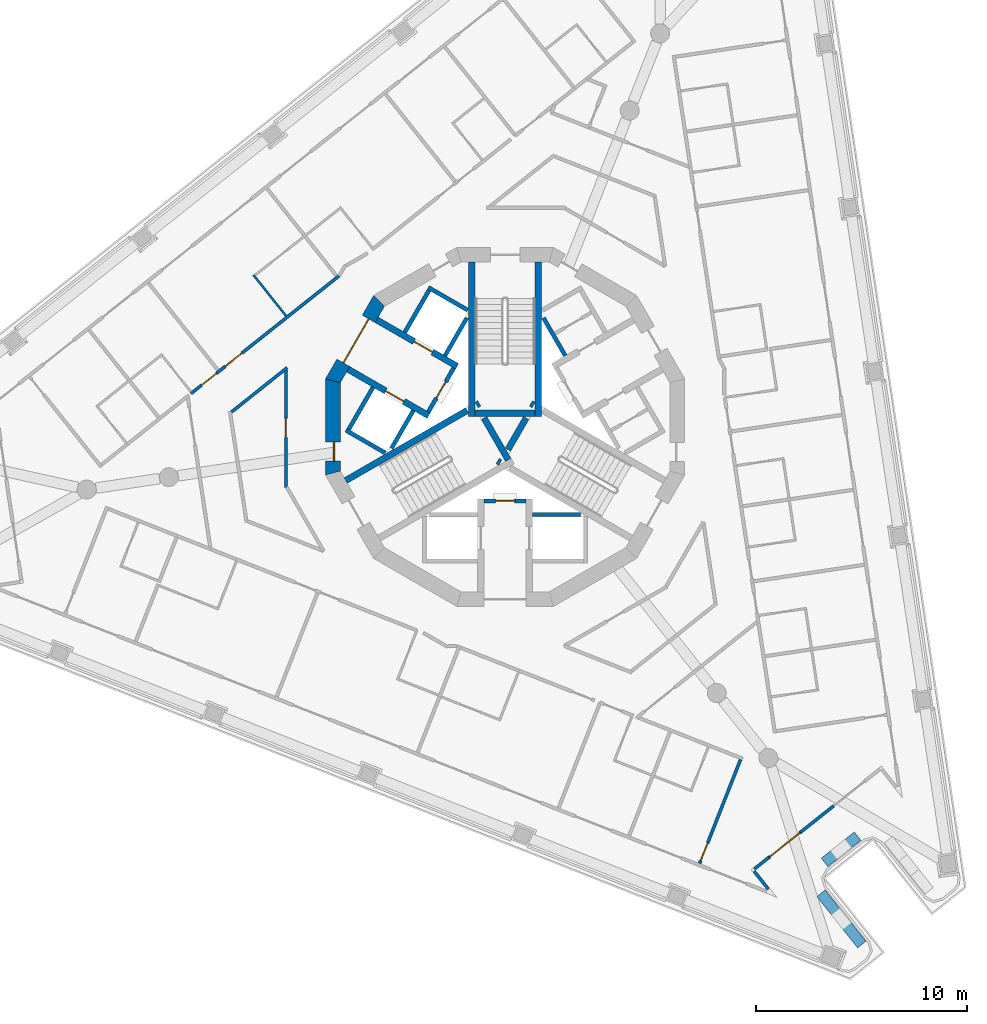
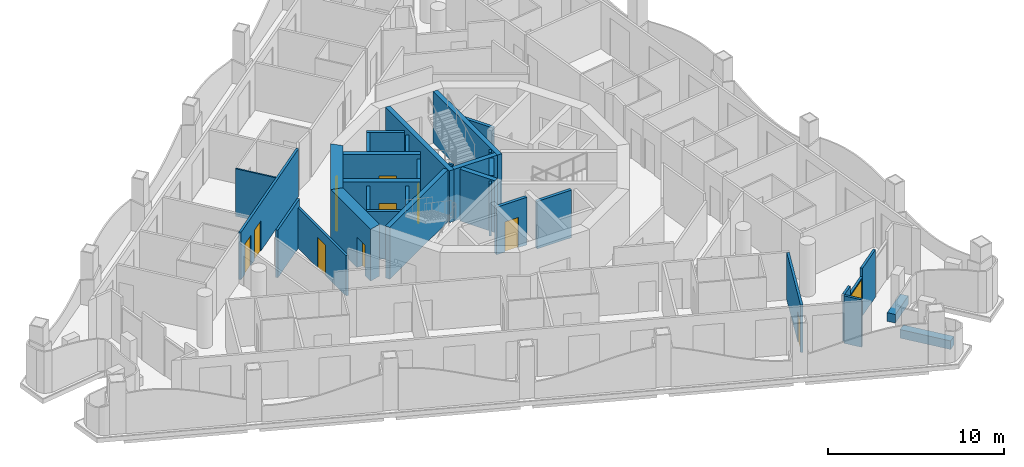
# One storey, part 4 of 16: 34 walls, 11 doors, 11 openings.
"""IFC4 building model written with IfcOpenShell, lengths in metres."""

import ifcopenshell
import ifcopenshell.guid

model = None  # the IFC model being written
_history = None  # IfcOwnerHistory: only IFC2X3 demands one
_inside = {}  # id of a spatial element -> (the spatial element, [elements in it])
_under = {}  # id of a project, library or spatial element -> (it, [spatial elements below it])
_declared = {}  # id of a project -> (the project, [libraries it declares])
_typed = {}  # id of a type object -> (the type object, [elements of that type])
_made_of = {}  # id of a material, layer set ... -> (it, [elements and type objects made of it])


def new_model(schema):
    """Start an empty IFC model of exactly this schema.

    Asked for "IFC4X3", IfcOpenShell would pick the latest addendum, in which some entities
    have other attributes; the version numbers below select the first issue.
    IFC2X3 requires an IfcOwnerHistory on every rooted entity: one is made here for all.
    """
    global model, _history
    if schema == "IFC4X3":
        model = ifcopenshell.file(schema_version=(4, 3, 0, 0))
    else:
        model = ifcopenshell.file(schema=schema)
    _inside.clear()
    _under.clear()
    _declared.clear()
    _typed.clear()
    _made_of.clear()
    _history = None
    if model.schema == "IFC2X3":
        org = make("IfcOrganization", Name="unknown")
        user = make(
            "IfcPersonAndOrganization",
            ThePerson=make("IfcPerson", FamilyName="unknown"),
            TheOrganization=org,
        )
        app = make(
            "IfcApplication",
            ApplicationDeveloper=org,
            Version="unknown",
            ApplicationFullName="unknown",
            ApplicationIdentifier="unknown",
        )
        _history = make(
            "IfcOwnerHistory",
            OwningUser=user,
            OwningApplication=app,
            ChangeAction="ADDED",
            CreationDate=0,
        )
    return model


def make(cls, **values):
    """One entity of the class cls with the attributes given. An attribute that is None is left unset."""
    return model.create_entity(
        cls, **{name: value for name, value in values.items() if value is not None}
    )


def rooted(cls, **values):
    """An entity with a GlobalId (a new one), such as an element, a storey or a relation."""
    return make(cls, GlobalId=ifcopenshell.guid.new(), OwnerHistory=_history, **values)


def si_unit(unit_type, name, prefix=None):
    """IfcSIUnit, for example si_unit("LENGTHUNIT", "METRE", prefix="MILLI")."""
    return make("IfcSIUnit", UnitType=unit_type, Prefix=prefix, Name=name)


def assignment(units):
    """IfcUnitAssignment: the units of a project."""
    return None if units is None else make("IfcUnitAssignment", Units=units)


def point(xyz):
    """IfcCartesianPoint."""
    return None if xyz is None else make("IfcCartesianPoint", Coordinates=xyz)


def direction(xyz):
    """IfcDirection."""
    return None if xyz is None else make("IfcDirection", DirectionRatios=xyz)


def frame(location, z_axis=None, x_axis=None):
    """IfcAxis2Placement3D, a coordinate frame: its origin and axes. An axis left out is left unset."""
    return make(
        "IfcAxis2Placement3D",
        Location=point(location),
        Axis=direction(z_axis),
        RefDirection=direction(x_axis),
    )


def frame_2d(location, x_axis=None):
    """IfcAxis2Placement2D, a coordinate frame in the plane: its origin and x axis."""
    return make(
        "IfcAxis2Placement2D", Location=point(location), RefDirection=direction(x_axis)
    )


def origin():
    """The frame at (0, 0, 0) with its axes left unset."""
    return frame((0.0, 0.0, 0.0))


def place(relative_to, where):
    """IfcLocalPlacement: puts the frame where relative to a parent placement (None: the world)."""
    return make(
        "IfcLocalPlacement", PlacementRelTo=relative_to, RelativePlacement=where
    )


def context(
    kind, dimensions, precision=None, world=None, true_north=None, identifier=None
):
    """IfcGeometricRepresentationContext, for example the 3D "Model" context."""
    return make(
        "IfcGeometricRepresentationContext",
        ContextIdentifier=identifier,
        ContextType=kind,
        CoordinateSpaceDimension=dimensions,
        Precision=precision,
        WorldCoordinateSystem=world,
        TrueNorth=true_north,
    )


def subcontext(parent, identifier, kind, view, scale=None):
    """IfcGeometricRepresentationSubContext, for example "Body" below "Model"."""
    return make(
        "IfcGeometricRepresentationSubContext",
        ContextIdentifier=identifier,
        ContextType=kind,
        ParentContext=parent,
        TargetScale=scale,
        TargetView=view,
    )


def project(units=None, contexts=None):
    """IfcProject with its units and contexts."""
    return rooted(
        "IfcProject",
        Name="project",
        RepresentationContexts=contexts,
        UnitsInContext=assignment(units),
    )


def spatial(cls, under=None, at=None, **own):
    """A site, building, storey or space (cls), placed at a placement, below another one or the project."""
    s = rooted(cls, ObjectPlacement=at, **own)
    if under is not None:
        _under.setdefault(under.id(), (under, []))[1].append(s)
    return s


def polyline(points):
    """IfcPolyline through the points."""
    return make("IfcPolyline", Points=[point(p) for p in points])


def profile(cls, at=None, kind="AREA", **sizes):
    """A parametric profile (cls). Its sizes go by their IFC names, for example OverallWidth=200.0."""
    return make(cls, ProfileType=kind, Position=at, **sizes)


def rectangle(**sizes):
    """IfcRectangleProfileDef."""
    return profile("IfcRectangleProfileDef", **sizes)


def outline(outer, holes=None, kind="AREA"):
    """IfcArbitraryClosedProfileDef: a profile drawn as a closed curve; with holes, ...WithVoids."""
    if holes is None:
        return make("IfcArbitraryClosedProfileDef", ProfileType=kind, OuterCurve=outer)
    return make(
        "IfcArbitraryProfileDefWithVoids",
        ProfileType=kind,
        OuterCurve=outer,
        InnerCurves=holes,
    )


def extrude(swept, where, along, depth):
    """IfcExtrudedAreaSolid: the profile swept, set in the frame where, extruded along a direction by depth."""
    return make(
        "IfcExtrudedAreaSolid",
        SweptArea=swept,
        Position=where,
        ExtrudedDirection=direction(along),
        Depth=depth,
    )


def shape(context_of_items, identifier, shape_type, items):
    """IfcShapeRepresentation: the items that make up one representation, for example the "Body"."""
    return make(
        "IfcShapeRepresentation",
        ContextOfItems=context_of_items,
        RepresentationIdentifier=identifier,
        RepresentationType=shape_type,
        Items=items,
    )


def material(Name=None, Category=None):
    """IfcMaterial."""
    return make("IfcMaterial", Name=Name, Category=Category)


def layer(
    of_material, thickness, ventilated=None, Name=None, Category=None, Priority=None
):
    """IfcMaterialLayer: one layer of a wall or slab, of a material (None: an air gap)."""
    return make(
        "IfcMaterialLayer",
        Material=of_material,
        LayerThickness=thickness,
        IsVentilated=ventilated,
        Name=Name,
        Category=Category,
        Priority=Priority,
    )


def layer_set(layers, Name=None):
    """IfcMaterialLayerSet."""
    return make("IfcMaterialLayerSet", MaterialLayers=layers, LayerSetName=Name)


def made_of(thing, what):
    """Note that an element or type object is made of a material, layer set ...; save() writes the relation."""
    if what is not None:
        _made_of.setdefault(what.id(), (what, []))[1].append(thing)
    return thing


def type_object(cls, material=None, **own):
    """A type object (cls), such as IfcWallType, which elements share."""
    return made_of(rooted(cls, **own), material)


def element(
    cls,
    number,
    at=None,
    inside=None,
    cuts=None,
    type_object=None,
    material=None,
    context=None,
    identifier="Body",
    shape_type=None,
    held_by="IfcProductDefinitionShape",
    body=None,
    shapes=None,
    **own,
):
    """One element of the class cls, such as IfcWall. Its Tag is "e" and its number.

    at: its placement. inside: the storey or other place that contains it. cuts: it is an
    opening in that element (IfcRelVoidsElement). A single representation is given by context,
    identifier, shape_type and body (its items); several are given by shapes. held_by: the class
    of the entity that holds the representations. save() writes the other relations.
    """
    e = rooted(cls, Tag="e%d" % number, ObjectPlacement=at, **own)
    if body is not None:
        shapes = [shape(context, identifier, shape_type, body)]
    if shapes is not None:
        e.Representation = make(held_by, Representations=shapes)
    if inside is not None:
        _inside.setdefault(inside.id(), (inside, []))[1].append(e)
    if cuts is not None:
        rooted(
            "IfcRelVoidsElement", RelatingBuildingElement=cuts, RelatedOpeningElement=e
        )
    if type_object is not None:
        _typed.setdefault(type_object.id(), (type_object, []))[1].append(e)
    return made_of(e, material)


def fill(opening, filler):
    """IfcRelFillsElement: the door or window that sits in an opening."""
    return rooted(
        "IfcRelFillsElement",
        RelatingOpeningElement=opening,
        RelatedBuildingElement=filler,
    )


def aggregate(whole, parts):
    """IfcRelAggregates: a whole, such as a stair, and the parts it consists of."""
    return rooted("IfcRelAggregates", RelatingObject=whole, RelatedObjects=parts)


def save(model, path):
    """Write the relations noted so far, then the file.

    IfcRelAggregates (storeys below a building ...), IfcRelContainedInSpatialStructure (elements
    in a storey), IfcRelDefinesByType, IfcRelAssociatesMaterial and IfcRelDeclares: one each for
    every whole, place, type object, material and project.
    """
    for whole, parts in _under.values():
        aggregate(whole, parts)
    for where, things in _inside.values():
        rooted(
            "IfcRelContainedInSpatialStructure",
            RelatedElements=things,
            RelatingStructure=where,
        )
    for kind, things in _typed.values():
        rooted("IfcRelDefinesByType", RelatedObjects=things, RelatingType=kind)
    for what, things in _made_of.values():
        rooted("IfcRelAssociatesMaterial", RelatedObjects=things, RelatingMaterial=what)
    for by, libraries in _declared.values():
        rooted("IfcRelDeclares", RelatingContext=by, RelatedDefinitions=libraries)
    model.write(path)


model = new_model("IFC4")

# Units and contexts
model_context = context("Model", 3, precision=1e-05, world=origin(), true_north=direction((0.0, 1.0)))
body_context = subcontext(model_context, "Body", "Model", "MODEL_VIEW")
ifc_project = project(units=[si_unit("LENGTHUNIT", "METRE"), si_unit("AREAUNIT", "SQUARE_METRE"), si_unit("VOLUMEUNIT", "CUBIC_METRE"), si_unit("PLANEANGLEUNIT", "RADIAN"), si_unit("MASSUNIT", "GRAM", prefix="KILO")], contexts=[model_context])

# Site, building, storey
site_placement = place(None, origin())
site = spatial("IfcSite", under=ifc_project, at=site_placement, CompositionType="ELEMENT")
building_placement = place(site_placement, origin())
building = spatial("IfcBuilding", under=site, at=building_placement, Name="Trine Commons Tower", CompositionType="ELEMENT")
storey_placement = place(building_placement, frame((0.0, 0.0, 219.60009765625)))
storey = spatial("IfcBuildingStorey", under=building, at=storey_placement, Name="L57", CompositionType="ELEMENT", Elevation=219.60009765625)

# Wall
ifc_material_1 = material(Name="Aluminium-framed insulated wall panel", Category="aluminium")
ifc_layer_1 = layer(ifc_material_1, 0.14990234375)
ifc_layer_set_1 = layer_set([ifc_layer_1], Name="Aluminium-framed insulated wall panel")
wall_type_1 = type_object("IfcWallType", Name="Glazed frame wall 150, EI 60", PredefinedType="SOLIDWALL", material=ifc_layer_set_1)
wall_1_placement = place(storey_placement, frame((95.546142578125, 44.562255859375, 0.0), z_axis=(0.0, 0.0, 1.0), x_axis=(-0.782580779818, -0.622549052733, 0.0)))
element("IfcWall", 1, at=wall_1_placement, inside=storey, type_object=wall_type_1, Name="Glazed frame wall P2.3", PredefinedType="SOLIDWALL", context=body_context, shape_type="SweptSolid", body=[
    extrude(outline(polyline([(0.0, -0.074951171875), (2.0, -0.074951171875), (2.0, 0.074951171875), (0.0, 0.074951171875), (0.0, -0.074951171875)])), origin(), (0.0, 0.0, 1.0), 3.2998046875),
])

# Wall, opening, door
wall_2_placement = place(storey_placement, frame((93.98095703125, 43.317138671875, 0.0), z_axis=(0.0, 0.0, 1.0), x_axis=(-0.782670764896, -0.622435919415, 0.0)))
wall_2 = element("IfcWall", 2, at=wall_2_placement, inside=storey, type_object=wall_type_1, Name="Glazed frame wall P2.4", PredefinedType="SOLIDWALL", context=body_context, shape_type="SweptSolid", body=[
    extrude(outline(polyline([(0.0, -0.074951171875), (1.89990234375, -0.074951171875), (1.89990234375, 0.074951171875), (0.0, 0.074951171875), (0.0, -0.074951171875)])), origin(), (0.0, 0.0, 1.0), 2.699951171875),
])
opening_1_placement = place(wall_2_placement, frame((0.050048828125, 0.0, 0.0)))
opening_1 = element("IfcOpeningElement", 3, at=opening_1_placement, cuts=wall_2, Name="Opening BD-6P2-02", PredefinedType="OPENING", context=body_context, shape_type="SweptSolid", body=[
    extrude(rectangle(XDim=1.800048828125, YDim=2.60009765625, at=frame_2d((0.89990234375, 1.300048828125))), frame((0.0, 0.0849609375, 0.0), z_axis=(0.0, -1.0, 0.0), x_axis=(1.0, 0.0, 0.0)), (0.0, 0.0, 1.0), 0.169921875),
])
ifc_material_2 = material(Name="Anodised aluminium frame with double glazing", Category="aluminium")
door_type_1 = type_object("IfcDoorType", Name="Sliding loggia door 1800x2600", OperationType="SLIDING_TO_LEFT", PredefinedType="DOOR", material=ifc_material_2)
door_1_placement = place(opening_1_placement, origin())
door_1 = element("IfcDoor", 4, at=door_1_placement, inside=storey, type_object=door_type_1, Name="Loggia door P2 2", OperationType="SLIDING_TO_LEFT", OverallHeight=2.60009765625, OverallWidth=1.800048828125, PredefinedType="DOOR", context=body_context, shape_type="SweptSolid", body=[
    extrude(rectangle(XDim=1.800048828125, YDim=2.60009765625, at=frame_2d((0.89990234375, 1.300048828125))), frame((0.0, 0.02490234375, 0.0), z_axis=(0.0, -1.0, 0.0), x_axis=(1.0, 0.0, 0.0)), (0.0, 0.0, 1.0), 0.050048828125),
])
fill(opening_1, door_1)

# Walls
wall_3_placement = place(storey_placement, frame((92.493896484375, 42.134521484375, 0.0), z_axis=(0.0, 0.0, 1.0), x_axis=(-0.782628082779, -0.622489585492, 0.0)))
element("IfcWall", 5, at=wall_3_placement, inside=storey, type_object=wall_type_1, Name="Glazed frame wall P2.5", PredefinedType="SOLIDWALL", context=body_context, shape_type="SweptSolid", body=[
    extrude(outline(polyline([(0.889892578125, 0.074951171875), (0.0, 0.074951171875), (0.0, -0.074951171875), (0.889892578125, -0.074951171875), (0.889892578125, 0.074951171875)])), origin(), (0.0, 0.0, 1.0), 3.2998046875),
])
wall_4_placement = place(storey_placement, frame((91.716796875, 41.56103515625, 0.0), z_axis=(0.0, 0.0, 1.0), x_axis=(0.622611995912, -0.7825307039, 0.0)))
element("IfcWall", 6, at=wall_4_placement, inside=storey, type_object=wall_type_1, Name="Glazed frame wall R8", PredefinedType="SOLIDWALL", context=body_context, shape_type="SweptSolid", body=[
    extrude(outline(polyline([(0.110107421875, 0.074951171875), (0.110107421875, -0.074951171875), (1.19580078125, -0.074951171875), (1.19580078125, 0.074951171875), (0.110107421875, 0.074951171875)])), origin(), (0.0, 0.0, 1.0), 3.2998046875),
])

# Wall, opening, door
ifc_material_3 = material(Name="Fire-rated gypsum shaft wall system")
ifc_layer_2 = layer(ifc_material_3, 0.199951171875)
ifc_layer_set_2 = layer_set([ifc_layer_2], Name="Fire-rated gypsum shaft wall system")
wall_type_2 = type_object("IfcWallType", Name="Lobby end wall 200 mm, EI 120", PredefinedType="PARTITIONING", material=ifc_layer_set_2)
wall_5_placement = place(storey_placement, frame((77.569091796875, 65.2890625, 0.0), z_axis=(0.0, 0.0, 1.0), x_axis=(-0.50012165622, -0.865955154139, 0.0)))
wall_5 = element("IfcWall", 7, at=wall_5_placement, inside=storey, type_object=wall_type_2, Name="Lobby end wall L57", PredefinedType="PARTITIONING", context=body_context, shape_type="SweptSolid", body=[
    extrude(rectangle(XDim=2.39990234375, YDim=0.199951171875, at=frame_2d((1.199951171875, 0.0))), origin(), (0.0, 0.0, 1.0), 3.2998046875),
])
opening_2_placement = place(wall_5_placement, frame((0.749755859375, 0.0, 0.0)))
opening_2 = element("IfcOpeningElement", 8, at=opening_2_placement, cuts=wall_5, Name="Opening K15.07", PredefinedType="OPENING", context=body_context, shape_type="SweptSolid", body=[
    extrude(rectangle(XDim=0.89990234375, YDim=2.10009765625, at=frame_2d((0.449951171875, 1.050048828125))), frame((0.0, 0.10986328125, 0.0), z_axis=(0.0, -1.0, 0.0), x_axis=(1.0, 0.0, 0.0)), (0.0, 0.0, 1.0), 0.219970703125),
])
ifc_material_4 = material(Name="Steel door leaf, fire-rated", Category="steel")
door_type_2 = type_object("IfcDoorType", Name="Riser access door, single leaf 900 x 2100, FD60", OperationType="SINGLE_SWING_LEFT", PredefinedType="DOOR", material=ifc_material_4)
door_2_placement = place(opening_2_placement, frame((0.89990234375, 0.0, 0.0), z_axis=(0.0, 0.0, 1.0), x_axis=(-1.0, 0.0, 0.0)))
door_2 = element("IfcDoor", 9, at=door_2_placement, inside=storey, type_object=door_type_2, Name="Riser door, Mechanical riser L57", OperationType="SINGLE_SWING_RIGHT", OverallHeight=2.10009765625, OverallWidth=0.89990234375, PredefinedType="DOOR", context=body_context, shape_type="SweptSolid", body=[
    extrude(rectangle(XDim=0.89990234375, YDim=2.10009765625, at=frame_2d((0.449951171875, 1.050048828125))), frame((0.0, 0.02490234375, 0.0), z_axis=(0.0, -1.0, 0.0), x_axis=(1.0, 0.0, 0.0)), (0.0, 0.0, 1.0), 0.050048828125),
])
fill(opening_2, door_2)

wall_6_placement = place(storey_placement, frame((79.0, 59.0, 0.0), z_axis=(0.0, 0.0, 1.0), x_axis=(1.0, 0.0, 0.0)))
wall_6 = element("IfcWall", 10, at=wall_6_placement, inside=storey, type_object=wall_type_2, Name="Lobby end wall L57", PredefinedType="PARTITIONING", context=body_context, shape_type="SweptSolid", body=[
    extrude(rectangle(XDim=2.0, YDim=0.199951171875, at=frame_2d((1.0, 0.0))), origin(), (0.0, 0.0, 1.0), 3.2998046875),
])
opening_3_placement = place(wall_6_placement, frame((0.550048828125, 0.0, 0.0)))
opening_3 = element("IfcOpeningElement", 11, at=opening_3_placement, cuts=wall_6, Name="Opening K15.09", PredefinedType="OPENING", context=body_context, shape_type="SweptSolid", body=[
    extrude(rectangle(XDim=0.89990234375, YDim=2.10009765625, at=frame_2d((0.449951171875, 1.050048828125))), frame((0.0, 0.10986328125, 0.0), z_axis=(0.0, -1.0, 0.0), x_axis=(1.0, 0.0, 0.0)), (0.0, 0.0, 1.0), 0.219970703125),
])
door_3_placement = place(opening_3_placement, frame((0.89990234375, 0.0, 0.0), z_axis=(0.0, 0.0, 1.0), x_axis=(-1.0, 0.0, 0.0)))
door_3 = element("IfcDoor", 12, at=door_3_placement, inside=storey, type_object=door_type_2, Name="Riser door, Communications riser L57", OperationType="SINGLE_SWING_RIGHT", OverallHeight=2.10009765625, OverallWidth=0.89990234375, PredefinedType="DOOR", context=body_context, shape_type="SweptSolid", body=[
    extrude(rectangle(XDim=0.89990234375, YDim=2.10009765625, at=frame_2d((0.449951171875, 1.050048828125))), frame((0.0, 0.02490234375, 0.0), z_axis=(0.0, -1.0, 0.0), x_axis=(1.0, 0.0, 0.0)), (0.0, 0.0, 1.0), 0.050048828125),
])
fill(opening_3, door_3)

# Walls
ifc_material_5 = material(Name="Planter trough, precast concrete C40/50", Category="concrete")
ifc_layer_3 = layer(ifc_material_5, 0.5)
ifc_layer_set_3 = layer_set([ifc_layer_3], Name="Planter trough, precast concrete C40/50")
wall_type_3 = type_object("IfcWallType", Name="Planter trough 500x600", PredefinedType="PARAPET", material=ifc_layer_set_3)
wall_7_placement = place(storey_placement, frame((96.68212890625, 43.134033203125, 0.0), z_axis=(0.0, 0.0, 1.0), x_axis=(-0.782580779818, -0.622549052733, 0.0)))
element("IfcWall", 13, at=wall_7_placement, inside=storey, type_object=wall_type_3, Name="Planter 8", PredefinedType="PARAPET", context=body_context, shape_type="SweptSolid", body=[
    extrude(rectangle(XDim=2.0, YDim=0.5, at=frame_2d((1.0, 0.0))), origin(), (0.0, 0.0, 1.0), 0.599853515625),
])
wall_8_placement = place(storey_placement, frame((94.950439453125, 40.427490234375, 0.0), z_axis=(0.0, 0.0, 1.0), x_axis=(0.622550971161, -0.782579253691, 0.0)))
element("IfcWall", 14, at=wall_8_placement, inside=storey, type_object=wall_type_3, Name="Planter 9", PredefinedType="PARAPET", context=body_context, shape_type="SweptSolid", body=[
    extrude(rectangle(XDim=3.10009765625, YDim=0.5, at=frame_2d((1.550048828125, 0.0))), origin(), (0.0, 0.0, 1.0), 0.599853515625),
])

# Wall, opening, door
ifc_material_6 = material(Name="Concrete C60/75", Category="concrete")
ifc_layer_4 = layer(ifc_material_6, 0.300048828125)
ifc_layer_set_4 = layer_set([ifc_layer_4], Name="Concrete C60/75")
wall_type_4 = type_object("IfcWallType", Name="RC shear wall 300 mm, C60/75", PredefinedType="SHEAR", material=ifc_layer_set_4)
wall_9_placement = place(storey_placement, frame((76.381103515625, 63.031005859375, 0.0), z_axis=(0.0, 0.0, 1.0), x_axis=(-0.866059941101, 0.499940174841, 0.0)))
wall_9 = element("IfcWall", 15, at=wall_9_placement, inside=storey, type_object=wall_type_4, Name="Core cross wall SWC-01 L57", PredefinedType="SHEAR", context=body_context, shape_type="SweptSolid", body=[
    extrude(rectangle(XDim=4.400390625, YDim=0.300048828125, at=frame_2d((2.2001953125, 0.0))), origin(), (0.0, 0.0, 1.0), 3.599853515625),
])
opening_4_placement = place(wall_9_placement, frame((1.350341796875, 0.0, 0.0)))
opening_4 = element("IfcOpeningElement", 16, at=opening_4_placement, cuts=wall_9, Name="Opening LD7", PredefinedType="OPENING", context=body_context, shape_type="SweptSolid", body=[
    extrude(rectangle(XDim=1.0, YDim=2.10009765625, at=frame_2d((0.5, 1.050048828125))), frame((0.0, 0.159912109375, 0.0), z_axis=(0.0, -1.0, 0.0), x_axis=(1.0, 0.0, 0.0)), (0.0, 0.0, 1.0), 0.320068359375),
])
ifc_material_7 = material(Name="Stainless steel sliding door leaves", Category="steel")
door_type_3 = type_object("IfcDoorType", Name="Lift landing door, centre-opening sliding 1000 x 2100, FD90", OperationType="DOUBLE_DOOR_SLIDING", PredefinedType="DOOR", material=ifc_material_7)
door_4_placement = place(opening_4_placement, origin())
door_4 = element("IfcDoor", 17, at=door_4_placement, inside=storey, type_object=door_type_3, Name="Lift landing door HR3 L57", OperationType="DOUBLE_DOOR_SLIDING", OverallHeight=2.10009765625, OverallWidth=1.0, PredefinedType="DOOR", context=body_context, shape_type="SweptSolid", body=[
    extrude(rectangle(XDim=1.0, YDim=2.10009765625, at=frame_2d((0.5, 1.050048828125))), frame((0.0, 0.02490234375, 0.0), z_axis=(0.0, -1.0, 0.0), x_axis=(1.0, 0.0, 0.0)), (0.0, 0.0, 1.0), 0.050048828125),
])
fill(opening_4, door_4)

wall_10_placement = place(storey_placement, frame((77.73095703125, 65.368896484375, 0.0), z_axis=(0.0, 0.0, 1.0), x_axis=(-0.866035918664, 0.499981787252, 0.0)))
wall_10 = element("IfcWall", 18, at=wall_10_placement, inside=storey, type_object=wall_type_4, Name="Core cross wall SWC-02 L57", PredefinedType="SHEAR", context=body_context, shape_type="SweptSolid", body=[
    extrude(rectangle(XDim=4.400634765625, YDim=0.300048828125, at=frame_2d((2.2001953125, 0.0))), origin(), (0.0, 0.0, 1.0), 3.599853515625),
])
opening_5_placement = place(wall_10_placement, frame((1.3505859375, 0.0, 0.0)))
opening_5 = element("IfcOpeningElement", 19, at=opening_5_placement, cuts=wall_10, Name="Opening LD8", PredefinedType="OPENING", context=body_context, shape_type="SweptSolid", body=[
    extrude(rectangle(XDim=1.0, YDim=2.10009765625, at=frame_2d((0.5, 1.050048828125))), frame((0.0, 0.159912109375, 0.0), z_axis=(0.0, -1.0, 0.0), x_axis=(1.0, 0.0, 0.0)), (0.0, 0.0, 1.0), 0.320068359375),
])
door_5_placement = place(opening_5_placement, origin())
door_5 = element("IfcDoor", 20, at=door_5_placement, inside=storey, type_object=door_type_3, Name="Lift landing door HR4 L57", OperationType="DOUBLE_DOOR_SLIDING", OverallHeight=2.10009765625, OverallWidth=1.0, PredefinedType="DOOR", context=body_context, shape_type="SweptSolid", body=[
    extrude(rectangle(XDim=1.0, YDim=2.10009765625, at=frame_2d((0.5, 1.050048828125))), frame((0.0, 0.02490234375, 0.0), z_axis=(0.0, -1.0, 0.0), x_axis=(1.0, 0.0, 0.0)), (0.0, 0.0, 1.0), 0.050048828125),
])
fill(opening_5, door_5)

# Walls
wall_11_placement = place(storey_placement, frame((78.199951171875, 63.280029296875, 0.0), z_axis=(0.0, 0.0, 1.0), x_axis=(-0.866009627307, -0.500027324665, 0.0)))
element("IfcWall", 21, at=wall_11_placement, inside=storey, type_object=wall_type_4, Name="Core cross wall SWC-07 L57", PredefinedType="SHEAR", context=body_context, shape_type="SweptSolid", body=[
    extrude(rectangle(XDim=6.631591796875, YDim=0.300048828125, at=frame_2d((3.31591796875, 0.0))), origin(), (0.0, 0.0, 1.0), 3.599853515625),
])
wall_12_placement = place(storey_placement, frame((78.425048828125, 63.0009765625, 0.0), z_axis=(0.0, 0.0, 1.0), x_axis=(0.0, 1.0, 0.0)))
element("IfcWall", 22, at=wall_12_placement, inside=storey, type_object=wall_type_4, Name="Core cross wall SWC-08 L57", PredefinedType="SHEAR", context=body_context, shape_type="SweptSolid", body=[
    extrude(rectangle(XDim=7.299072265625, YDim=0.300048828125, at=frame_2d((3.6494140625, 0.0))), origin(), (0.0, 0.0, 1.0), 3.599853515625),
])
wall_13_placement = place(storey_placement, frame((78.779052734375, 63.614013671875, 0.0), z_axis=(0.0, 0.0, 1.0), x_axis=(-0.867737973955, -0.497021939713, 0.0)))
element("IfcWall", 23, at=wall_13_placement, inside=storey, type_object=wall_type_4, Name="Core cross wall SWC-09 L57", PredefinedType="SHEAR", context=body_context, shape_type="SweptSolid", body=[
    extrude(rectangle(XDim=0.14892578125, YDim=0.300048828125, at=frame_2d((0.074462890625, 0.0))), origin(), (0.0, 0.0, 1.0), 3.599853515625),
])
wall_14_placement = place(storey_placement, frame((79.0029296875, 62.926025390625, 0.0), z_axis=(0.0, 0.0, 1.0), x_axis=(0.499965247104, -0.866045467449, 0.0)))
element("IfcWall", 24, at=wall_14_placement, inside=storey, type_object=wall_type_4, Name="Core cross wall SWC-10 L57", PredefinedType="SHEAR", context=body_context, shape_type="SweptSolid", body=[
    extrude(rectangle(XDim=2.292236328125, YDim=0.300048828125, at=frame_2d((1.14599609375, 0.0))), origin(), (0.0, 0.0, 1.0), 3.599853515625),
])
wall_15_placement = place(storey_placement, frame((79.64599609375, 60.885986328125, 0.0), z_axis=(0.0, 0.0, 1.0), x_axis=(0.867331893649, -0.497730234424, 0.0)))
element("IfcWall", 25, at=wall_15_placement, inside=storey, type_object=wall_type_4, Name="Core cross wall SWC-11 L57", PredefinedType="SHEAR", context=body_context, shape_type="SweptSolid", body=[
    extrude(rectangle(XDim=0.148681640625, YDim=0.300048828125, at=frame_2d((0.07421875, 0.0))), origin(), (0.0, 0.0, 1.0), 3.599853515625),
])
wall_16_placement = place(storey_placement, frame((80.1298828125, 61.424072265625, 0.0), z_axis=(0.0, 0.0, 1.0), x_axis=(0.500014901547, 0.866016800201, 0.0)))
element("IfcWall", 26, at=wall_16_placement, inside=storey, type_object=wall_type_4, Name="Core cross wall SWC-12 L57", PredefinedType="SHEAR", context=body_context, shape_type="SweptSolid", body=[
    extrude(rectangle(XDim=1.734375, YDim=0.300048828125, at=frame_2d((0.8671875, 0.0))), origin(), (0.0, 0.0, 1.0), 3.599853515625),
])
wall_17_placement = place(storey_placement, frame((81.220947265625, 63.614013671875, 0.0), z_axis=(0.0, 0.0, 1.0), x_axis=(0.867737973955, -0.497021939713, 0.0)))
element("IfcWall", 27, at=wall_17_placement, inside=storey, type_object=wall_type_4, Name="Core cross wall SWC-15 L57", PredefinedType="SHEAR", context=body_context, shape_type="SweptSolid", body=[
    extrude(rectangle(XDim=0.14892578125, YDim=0.300048828125, at=frame_2d((0.074462890625, 0.0))), origin(), (0.0, 0.0, 1.0), 3.599853515625),
])
wall_18_placement = place(storey_placement, frame((81.425048828125, 63.15087890625, 0.0), z_axis=(0.0, 0.0, 1.0), x_axis=(-1.0, 0.0, 0.0)))
element("IfcWall", 28, at=wall_18_placement, inside=storey, type_object=wall_type_4, Name="Core cross wall SWC-16 L57", PredefinedType="SHEAR", context=body_context, shape_type="SweptSolid", body=[
    extrude(rectangle(XDim=2.85009765625, YDim=0.300048828125, at=frame_2d((1.425048828125, 0.0))), origin(), (0.0, 0.0, 1.0), 3.599853515625),
])
wall_19_placement = place(storey_placement, frame((81.574951171875, 63.0009765625, 0.0), z_axis=(0.0, 0.0, 1.0), x_axis=(0.0, 1.0, 0.0)))
element("IfcWall", 29, at=wall_19_placement, inside=storey, type_object=wall_type_4, Name="Core cross wall SWC-17 L57", PredefinedType="SHEAR", context=body_context, shape_type="SweptSolid", body=[
    extrude(rectangle(XDim=7.299072265625, YDim=0.300048828125, at=frame_2d((3.6494140625, 0.0))), origin(), (0.0, 0.0, 1.0), 3.599853515625),
])

# Wall, opening, door
ifc_layer_5 = layer(ifc_material_6, 0.699951171875)
ifc_layer_set_5 = layer_set([ifc_layer_5], Name="Concrete C60/75")
wall_type_5 = type_object("IfcWallType", Name="RC shear wall 700 mm, C60/75", PredefinedType="SHEAR", material=ifc_layer_set_5)
wall_20_placement = place(storey_placement, frame((74.08056640625, 68.547607421875, 0.0), z_axis=(0.0, 0.0, 1.0), x_axis=(-0.499983800959, -0.866034756103, 0.0)))
wall_20 = element("IfcWall", 30, at=wall_20_placement, inside=storey, type_object=wall_type_5, Name="Core wall CWF-06 L57", PredefinedType="SHEAR", context=body_context, shape_type="SweptSolid", body=[
    extrude(outline(polyline([(0.0, -0.35009765625), (4.55517578125, -0.35009765625), (4.36767578125, 0.35009765625), (0.1875, 0.35009765625), (0.0, -0.35009765625)])), origin(), (0.0, 0.0, 1.0), 3.599853515625),
])
opening_6_placement = place(wall_20_placement, frame((1.077392578125, 0.0, 0.0)))
opening_6 = element("IfcOpeningElement", 31, at=opening_6_placement, cuts=wall_20, Name="Opening K15.06", PredefinedType="OPENING", context=body_context, shape_type="SweptSolid", body=[
    extrude(rectangle(XDim=2.39990234375, YDim=2.10009765625, at=frame_2d((1.199951171875, 1.050048828125))), frame((0.0, 0.35986328125, 0.0), z_axis=(0.0, -1.0, 0.0), x_axis=(1.0, 0.0, 0.0)), (0.0, 0.0, 1.0), 0.719970703125),
])
ifc_material_8 = material(Name="Steel door leaves, fire-rated", Category="steel")
door_type_4 = type_object("IfcDoorType", Name="Lobby door, double leaf 2400 x 2100, FD60", OperationType="DOUBLE_DOOR_SINGLE_SWING", PredefinedType="DOOR", material=ifc_material_8)
door_6_placement = place(opening_6_placement, origin())
door_6 = element("IfcDoor", 32, at=door_6_placement, inside=storey, type_object=door_type_4, Name="Lobby door, Passenger lift lobby B L57", OperationType="DOUBLE_DOOR_SINGLE_SWING", OverallHeight=2.10009765625, OverallWidth=2.39990234375, PredefinedType="DOOR", context=body_context, shape_type="SweptSolid", body=[
    extrude(rectangle(XDim=2.39990234375, YDim=2.10009765625, at=frame_2d((1.199951171875, 1.050048828125))), frame((0.0, 0.02490234375, 0.0), z_axis=(0.0, -1.0, 0.0), x_axis=(1.0, 0.0, 0.0)), (0.0, 0.0, 1.0), 0.050048828125),
])
fill(opening_6, door_6)

wall_21_placement = place(storey_placement, frame((71.849853515625, 64.777587890625, 0.0), z_axis=(0.0, 0.0, 1.0), x_axis=(0.0, -1.0, 0.0)))
wall_21 = element("IfcWall", 33, at=wall_21_placement, inside=storey, type_object=wall_type_5, Name="Core wall CWF-07 L57", PredefinedType="SHEAR", context=body_context, shape_type="SweptSolid", body=[
    extrude(outline(polyline([(0.0, -0.35009765625), (4.55517578125, -0.35009765625), (4.36767578125, 0.35009765625), (0.1875, 0.35009765625), (0.0, -0.35009765625)])), origin(), (0.0, 0.0, 1.0), 3.599853515625),
])
opening_7_placement = place(wall_21_placement, frame((2.99169921875, 0.0, 0.0)))
opening_7 = element("IfcOpeningElement", 34, at=opening_7_placement, cuts=wall_21, Name="Opening K15.16", PredefinedType="OPENING", context=body_context, shape_type="SweptSolid", body=[
    extrude(rectangle(XDim=0.89990234375, YDim=2.10009765625, at=frame_2d((0.449951171875, 1.050048828125))), frame((0.0, 0.35986328125, 0.0), z_axis=(0.0, -1.0, 0.0), x_axis=(1.0, 0.0, 0.0)), (0.0, 0.0, 1.0), 0.719970703125),
])
door_type_5 = type_object("IfcDoorType", Name="Core room door, single leaf 900 x 2100, FD30S", OperationType="SINGLE_SWING_LEFT", PredefinedType="DOOR", material=ifc_material_4)
door_7_placement = place(opening_7_placement, origin())
door_7 = element("IfcDoor", 35, at=door_7_placement, inside=storey, type_object=door_type_5, Name="Door to Pantry L57", OperationType="SINGLE_SWING_RIGHT", OverallHeight=2.10009765625, OverallWidth=0.89990234375, PredefinedType="DOOR", context=body_context, shape_type="SweptSolid", body=[
    extrude(rectangle(XDim=0.89990234375, YDim=2.10009765625, at=frame_2d((0.449951171875, 1.050048828125))), frame((0.0, 0.0751953125, 0.0), z_axis=(0.0, -1.0, 0.0), x_axis=(1.0, 0.0, 0.0)), (0.0, 0.0, 1.0), 0.050048828125),
])
fill(opening_7, door_7)

# Walls
ifc_layer_6 = layer(ifc_material_3, 0.199951171875)
ifc_layer_set_6 = layer_set([ifc_layer_6], Name="Fire-rated gypsum shaft wall system")
wall_type_6 = type_object("IfcWallType", Name="Shaft wall 200 mm, EI 120", PredefinedType="PARTITIONING", material=ifc_layer_set_6)
wall_22_placement = place(storey_placement, frame((73.7509765625, 64.3759765625, 0.0), z_axis=(0.0, 0.0, 1.0), x_axis=(-0.500136062276, -0.86594683394, 0.0)))
element("IfcWall", 36, at=wall_22_placement, inside=storey, type_object=wall_type_6, Name="Shaft wall L57", PredefinedType="PARTITIONING", context=body_context, shape_type="SweptSolid", body=[
    extrude(rectangle(XDim=2.299072265625, YDim=0.199951171875, at=frame_2d((1.1494140625, 0.0))), origin(), (0.0, 0.0, 1.0), 3.2998046875),
])
wall_23_placement = place(storey_placement, frame((74.324951171875, 61.27392578125, 0.0), z_axis=(0.0, 0.0, 1.0), x_axis=(-0.866102336459, 0.499866725018, 0.0)))
element("IfcWall", 37, at=wall_23_placement, inside=storey, type_object=wall_type_6, Name="Shaft wall L57", PredefinedType="PARTITIONING", context=body_context, shape_type="SweptSolid", body=[
    extrude(rectangle(XDim=2.1484375, YDim=0.199951171875, at=frame_2d((1.07421875, 0.0))), origin(), (0.0, 0.0, 1.0), 3.2998046875),
])
wall_24_placement = place(storey_placement, frame((75.2509765625, 66.97412109375, 0.0), z_axis=(0.0, 0.0, 1.0), x_axis=(0.500136062276, 0.86594683394, 0.0)))
element("IfcWall", 38, at=wall_24_placement, inside=storey, type_object=wall_type_6, Name="Shaft wall L57", PredefinedType="PARTITIONING", context=body_context, shape_type="SweptSolid", body=[
    extrude(rectangle(XDim=2.299072265625, YDim=0.199951171875, at=frame_2d((1.1494140625, 0.0))), origin(), (0.0, 0.0, 1.0), 3.2998046875),
])
wall_25_placement = place(storey_placement, frame((75.656005859375, 63.27587890625, 0.0), z_axis=(0.0, 0.0, 1.0), x_axis=(-0.500271688072, -0.86586848777, 0.0)))
element("IfcWall", 39, at=wall_25_placement, inside=storey, type_object=wall_type_6, Name="Shaft wall L57", PredefinedType="PARTITIONING", context=body_context, shape_type="SweptSolid", body=[
    extrude(rectangle(XDim=2.064697265625, YDim=0.199951171875, at=frame_2d((1.0322265625, 0.0))), origin(), (0.0, 0.0, 1.0), 3.2998046875),
])
wall_26_placement = place(storey_placement, frame((77.156005859375, 65.8740234375, 0.0), z_axis=(0.0, 0.0, 1.0), x_axis=(0.499865770674, 0.866102887253, 0.0)))
element("IfcWall", 40, at=wall_26_placement, inside=storey, type_object=wall_type_6, Name="Shaft wall L57", PredefinedType="PARTITIONING", context=body_context, shape_type="SweptSolid", body=[
    extrude(rectangle(XDim=2.064453125, YDim=0.199951171875, at=frame_2d((1.0322265625, 0.0))), origin(), (0.0, 0.0, 1.0), 3.2998046875),
])
wall_27_placement = place(storey_placement, frame((78.22509765625, 68.028076171875, 0.0), z_axis=(0.0, 0.0, 1.0), x_axis=(-0.866130725101, 0.499817533742, 0.0)))
element("IfcWall", 41, at=wall_27_placement, inside=storey, type_object=wall_type_6, Name="Shaft wall L57", PredefinedType="PARTITIONING", context=body_context, shape_type="SweptSolid", body=[
    extrude(rectangle(XDim=2.148681640625, YDim=0.199951171875, at=frame_2d((1.07421875, 0.0))), origin(), (0.0, 0.0, 1.0), 3.2998046875),
])
wall_28_placement = place(storey_placement, frame((81.300048828125, 58.35009765625, 0.0), z_axis=(0.0, 0.0, 1.0), x_axis=(1.0, 0.0, 0.0)))
element("IfcWall", 42, at=wall_28_placement, inside=storey, type_object=wall_type_6, Name="Shaft wall L57", PredefinedType="PARTITIONING", context=body_context, shape_type="SweptSolid", body=[
    extrude(rectangle(XDim=2.264892578125, YDim=0.199951171875, at=frame_2d((1.13232421875, 0.0))), origin(), (0.0, 0.0, 1.0), 3.2998046875),
])
wall_29_placement = place(storey_placement, frame((82.843994140625, 65.8740234375, 0.0), z_axis=(0.0, 0.0, 1.0), x_axis=(-0.499865770674, 0.866102887253, 0.0)))
element("IfcWall", 43, at=wall_29_placement, inside=storey, type_object=wall_type_6, Name="Shaft wall L57", PredefinedType="PARTITIONING", context=body_context, shape_type="SweptSolid", body=[
    extrude(rectangle(XDim=2.064453125, YDim=0.199951171875, at=frame_2d((1.0322265625, 0.0))), origin(), (0.0, 0.0, 1.0), 3.2998046875),
])

# Wall, openings, doors
ifc_material_9 = material(Name="Gypsum plasterboard on steel stud", Category="steel")
ifc_layer_7 = layer(ifc_material_9, 0.14990234375)
ifc_layer_set_7 = layer_set([ifc_layer_7], Name="Gypsum plasterboard on steel stud")
wall_type_7 = type_object("IfcWallType", Name="Unit and corridor wall 150 mm, EI 60", PredefinedType="PARTITIONING", material=ifc_layer_set_7)
wall_30_placement = place(storey_placement, frame((65.130859375, 64.077880859375, 0.0), z_axis=(0.0, 0.0, 1.0), x_axis=(0.782802105688, 0.622270731539, 0.0)))
wall_30 = element("IfcWall", 44, at=wall_30_placement, inside=storey, type_object=wall_type_7, Name="Partition 018", PredefinedType="PARTITIONING", context=body_context, shape_type="SweptSolid", body=[
    extrude(rectangle(XDim=8.939453125, YDim=0.14990234375, at=frame_2d((4.4697265625, 0.0))), origin(), (0.0, 0.0, 1.0), 3.2998046875),
])
opening_8_placement = place(wall_30_placement, frame((0.63916015625, 0.0, 0.0)))
opening_8 = element("IfcOpeningElement", 45, at=opening_8_placement, cuts=wall_30, Name="Opening D-6C06", PredefinedType="OPENING", context=body_context, shape_type="SweptSolid", body=[
    extrude(rectangle(XDim=0.89990234375, YDim=2.10009765625, at=frame_2d((0.449951171875, 1.050048828125))), frame((0.0, 0.0849609375, 0.0), z_axis=(0.0, -1.0, 0.0), x_axis=(1.0, 0.0, 0.0)), (0.0, 0.0, 1.0), 0.169921875),
])
opening_9_placement = place(wall_30_placement, frame((2.081787109375, 0.0, 0.0)))
opening_9 = element("IfcOpeningElement", 46, at=opening_9_placement, cuts=wall_30, Name="Opening D-6C07", PredefinedType="OPENING", context=body_context, shape_type="SweptSolid", body=[
    extrude(rectangle(XDim=1.0, YDim=2.10009765625, at=frame_2d((0.5, 1.050048828125))), frame((0.0, 0.0849609375, 0.0), z_axis=(0.0, -1.0, 0.0), x_axis=(1.0, 0.0, 0.0)), (0.0, 0.0, 1.0), 0.169921875),
])
ifc_material_10 = material(Name="Timber fire door set", Category="wood")
door_type_6 = type_object("IfcDoorType", Name="Bedroom door 1000 x 2100, FD30S", OperationType="NOTDEFINED", PredefinedType="DOOR", material=ifc_material_10)
door_8_placement = place(opening_9_placement, origin())
door_8 = element("IfcDoor", 47, at=door_8_placement, inside=storey, type_object=door_type_6, Name="Door D-6C07", OperationType="SINGLE_SWING_LEFT", OverallHeight=2.10009765625, OverallWidth=1.0, PredefinedType="DOOR", context=body_context, shape_type="SweptSolid", body=[
    extrude(rectangle(XDim=1.0, YDim=2.10009765625, at=frame_2d((0.5, 1.050048828125))), frame((0.0, 0.02490234375, 0.0), z_axis=(0.0, -1.0, 0.0), x_axis=(1.0, 0.0, 0.0)), (0.0, 0.0, 1.0), 0.050048828125),
])
fill(opening_9, door_8)
door_type_7 = type_object("IfcDoorType", Name="Bedroom door 900 x 2100, FD30S", OperationType="NOTDEFINED", PredefinedType="DOOR", material=ifc_material_10)
door_9_placement = place(opening_8_placement, origin())
door_9 = element("IfcDoor", 48, at=door_9_placement, inside=storey, type_object=door_type_7, Name="Door D-6C06", OperationType="SINGLE_SWING_LEFT", OverallHeight=2.10009765625, OverallWidth=0.89990234375, PredefinedType="DOOR", context=body_context, shape_type="SweptSolid", body=[
    extrude(rectangle(XDim=0.89990234375, YDim=2.10009765625, at=frame_2d((0.449951171875, 1.050048828125))), frame((0.0, 0.02490234375, 0.0), z_axis=(0.0, -1.0, 0.0), x_axis=(1.0, 0.0, 0.0)), (0.0, 0.0, 1.0), 0.050048828125),
])
fill(opening_8, door_9)

# Wall
wall_31_placement = place(storey_placement, frame((67.0498046875, 63.206787109375, 0.0), z_axis=(0.0, 0.0, 1.0), x_axis=(0.782472540885, 0.622685091166, 0.0)))
element("IfcWall", 49, at=wall_31_placement, inside=storey, type_object=wall_type_7, Name="Partition 023", PredefinedType="PARTITIONING", context=body_context, shape_type="SweptSolid", body=[
    extrude(rectangle(XDim=3.365966796875, YDim=0.14990234375, at=frame_2d((1.68310546875, 0.0))), origin(), (0.0, 0.0, 1.0), 3.2998046875),
])

# Wall, opening, door
wall_32_placement = place(storey_placement, frame((69.625, 59.64501953125, 0.0), z_axis=(0.0, 0.0, 1.0), x_axis=(0.0, 1.0, 0.0)))
wall_32 = element("IfcWall", 50, at=wall_32_placement, inside=storey, type_object=wall_type_7, Name="Partition 031", PredefinedType="PARTITIONING", context=body_context, shape_type="SweptSolid", body=[
    extrude(rectangle(XDim=5.5400390625, YDim=0.14990234375, at=frame_2d((2.77001953125, 0.0))), origin(), (0.0, 0.0, 1.0), 2.7998046875),
])
opening_10_placement = place(wall_32_placement, frame((2.357421875, 0.0, 0.0)))
opening_10 = element("IfcOpeningElement", 51, at=opening_10_placement, cuts=wall_32, Name="Opening D-6C28", PredefinedType="OPENING", context=body_context, shape_type="SweptSolid", body=[
    extrude(rectangle(XDim=0.89990234375, YDim=2.10009765625, at=frame_2d((0.449951171875, 1.050048828125))), frame((0.0, 0.0849609375, 0.0), z_axis=(0.0, -1.0, 0.0), x_axis=(1.0, 0.0, 0.0)), (0.0, 0.0, 1.0), 0.169921875),
])
door_type_8 = type_object("IfcDoorType", Name="Service door 900 x 2100, FD30S", OperationType="NOTDEFINED", PredefinedType="DOOR", material=ifc_material_10)
door_10_placement = place(opening_10_placement, origin())
door_10 = element("IfcDoor", 52, at=door_10_placement, inside=storey, type_object=door_type_8, Name="Door D-6C28", OperationType="SINGLE_SWING_RIGHT", OverallHeight=2.10009765625, OverallWidth=0.89990234375, PredefinedType="DOOR", context=body_context, shape_type="SweptSolid", body=[
    extrude(rectangle(XDim=0.89990234375, YDim=2.10009765625, at=frame_2d((0.449951171875, 1.050048828125))), frame((0.0, 0.02490234375, 0.0), z_axis=(0.0, -1.0, 0.0), x_axis=(1.0, 0.0, 0.0)), (0.0, 0.0, 1.0), 0.050048828125),
])
fill(opening_10, door_10)

wall_33_placement = place(storey_placement, frame((89.20458984375, 41.838134765625, 0.0), z_axis=(0.0, 0.0, 1.0), x_axis=(0.366526942071, 0.930407438027, 0.0)))
wall_33 = element("IfcWall", 53, at=wall_33_placement, inside=storey, type_object=wall_type_7, Name="Partition 093", PredefinedType="PARTITIONING", context=body_context, shape_type="SweptSolid", body=[
    extrude(rectangle(XDim=5.28466796875, YDim=0.14990234375, at=frame_2d((2.642333984375, 0.0))), origin(), (0.0, 0.0, 1.0), 3.2998046875),
])
opening_11_placement = place(wall_33_placement, frame((0.14990234375, 0.0, 0.0)))
opening_11 = element("IfcOpeningElement", 54, at=opening_11_placement, cuts=wall_33, Name="Opening D-6C20", PredefinedType="OPENING", context=body_context, shape_type="SweptSolid", body=[
    extrude(rectangle(XDim=0.89990234375, YDim=2.10009765625, at=frame_2d((0.449951171875, 1.050048828125))), frame((0.0, 0.0849609375, 0.0), z_axis=(0.0, -1.0, 0.0), x_axis=(1.0, 0.0, 0.0)), (0.0, 0.0, 1.0), 0.169921875),
])
door_11_placement = place(opening_11_placement, origin())
door_11 = element("IfcDoor", 55, at=door_11_placement, inside=storey, type_object=door_type_7, Name="Door D-6C20", OperationType="SINGLE_SWING_LEFT", OverallHeight=2.10009765625, OverallWidth=0.89990234375, PredefinedType="DOOR", context=body_context, shape_type="SweptSolid", body=[
    extrude(rectangle(XDim=0.89990234375, YDim=2.10009765625, at=frame_2d((0.449951171875, 1.050048828125))), frame((0.0, 0.02490234375, 0.0), z_axis=(0.0, -1.0, 0.0), x_axis=(1.0, 0.0, 0.0)), (0.0, 0.0, 1.0), 0.050048828125),
])
fill(opening_11, door_11)

# Wall
ifc_layer_8 = layer(ifc_material_9, 0.10009765625)
ifc_layer_set_8 = layer_set([ifc_layer_8], Name="Gypsum plasterboard on steel stud")
wall_type_8 = type_object("IfcWallType", Name="Unit partition 100 mm, no rating", PredefinedType="PARTITIONING", material=ifc_layer_set_8)
wall_34_placement = place(storey_placement, frame((68.091796875, 69.690185546875, 0.0), z_axis=(0.0, 0.0, 1.0), x_axis=(0.622551031967, -0.782579205319, 0.0)))
element("IfcWall", 56, at=wall_34_placement, inside=storey, type_object=wall_type_8, Name="Partition 027", PredefinedType="PARTITIONING", context=body_context, shape_type="SweptSolid", body=[
    extrude(rectangle(XDim=2.474609375, YDim=0.10009765625, at=frame_2d((1.2373046875, 0.0))), origin(), (0.0, 0.0, 1.0), 3.2998046875),
])

save(model, "model.ifc")
